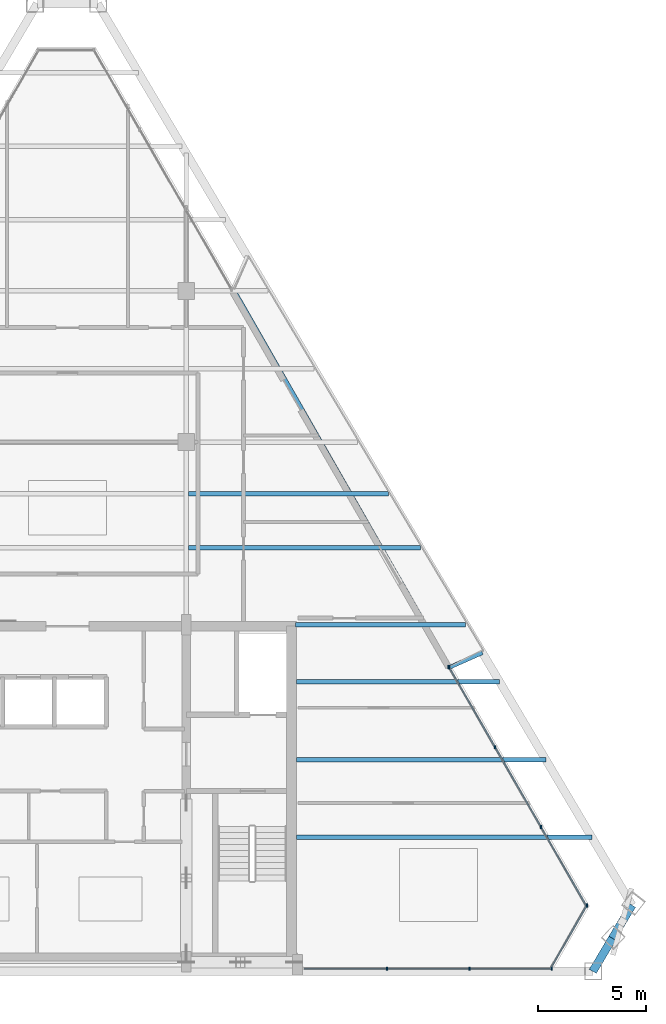
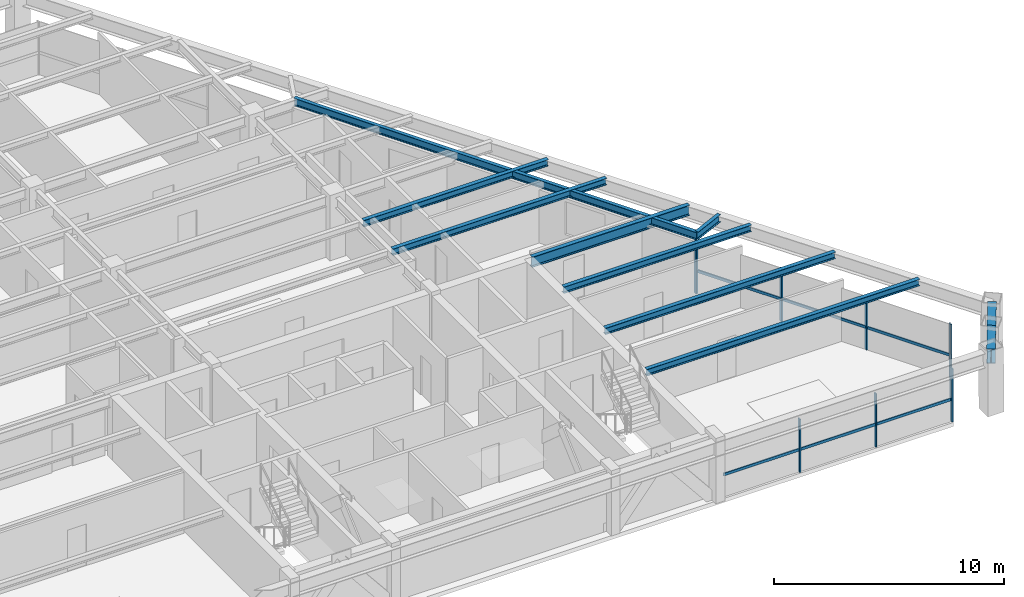
# One storey, part 5 of 13: 15 members, 10 beams, 3 elements without a shape of their own.
"""IFC4 building model written with IfcOpenShell, lengths in metres."""

from ifc_helpers import new_model, si_unit, direction, frame, origin, origin_2d, place, context, subcontext, project, spatial, rectangle, i_section, extrude, source, transform, mapped, material, material_profile, profile_set, type_object, type_shapes, element, aggregate, save


model = new_model("IFC4")

# Units and contexts
model_context = context("Model", 3, precision=1e-05, world=origin(), true_north=direction((0.0, 1.0)))
body_context = subcontext(model_context, "Body", "Model", "MODEL_VIEW")
ifc_project = project(units=[si_unit("LENGTHUNIT", "METRE"), si_unit("AREAUNIT", "SQUARE_METRE"), si_unit("VOLUMEUNIT", "CUBIC_METRE"), si_unit("PLANEANGLEUNIT", "RADIAN"), si_unit("MASSUNIT", "GRAM", prefix="KILO")], contexts=[model_context])

# Site, building, storey
site_placement = place(None, origin())
site = spatial("IfcSite", under=ifc_project, at=site_placement, CompositionType="ELEMENT")
building_placement = place(site_placement, origin())
building = spatial("IfcBuilding", under=site, at=building_placement, Name="Varnakhor Terracotta Tower", CompositionType="ELEMENT")
storey_placement = place(building_placement, frame((0.0, 0.0, 297.14990234375)))
storey = spatial("IfcBuildingStorey", under=building, at=storey_placement, Name="L78", CompositionType="ELEMENT", Elevation=297.14990234375)

# Beams
ifc_material_1 = material(Name="Steel S355", Category="steel")
ifc_material_profile_1 = material_profile(ifc_material_1, i_section(OverallWidth=0.381103515625, OverallDepth=0.77294921875, WebThickness=0.01708984375, FlangeThickness=0.027099609375, FilletRadius=0.01806640625, at=origin_2d()), Name="W30X173")
ifc_profile_set_1 = profile_set([ifc_material_profile_1], Name="Steel S355")
beam_type_1 = type_object("IfcBeamType", Name="BM-W30X173", PredefinedType="BEAM", material=ifc_profile_set_1)
shared_shape_1 = source(origin(), body_context, "Body", "SweptSolid", [
    extrude(i_section(OverallWidth=0.381103515625, OverallDepth=0.77294921875, WebThickness=0.01708984375, FlangeThickness=0.027099609375, FilletRadius=0.01806640625, at=origin_2d()), origin(), (0.0, 0.0, 1.0), 1.781494140625),
])
beam_1_placement = place(storey_placement, frame((24.31640625, 0.0, 2.853515625), z_axis=(0.50993386134, 0.860213611296, 0.0), x_axis=(-0.860213611296, 0.50993386134, 0.0)))
element("IfcBeam", 1, at=beam_1_placement, inside=storey, type_object=beam_type_1, Name="L78 Perimeter Spandrel 2", PredefinedType="BEAM", context=body_context, shape_type="MappedRepresentation", body=[
    mapped(shared_shape_1, transform((0.0, 0.0, 0.0), scale=1.0)),
])
shared_shape_2 = source(origin(), body_context, "Body", "SweptSolid", [
    extrude(i_section(OverallWidth=0.381103515625, OverallDepth=0.77294921875, WebThickness=0.01708984375, FlangeThickness=0.027099609375, FilletRadius=0.01806640625, at=origin_2d()), origin(), (0.0, 0.0, 1.0), 1.78125),
])
beam_2_placement = place(storey_placement, frame((25.224853515625, 1.532470703125, 2.853515625), z_axis=(0.509993981004, 0.860177969573, 0.0), x_axis=(-0.860177969573, 0.509993981004, 0.0)))
element("IfcBeam", 2, at=beam_2_placement, inside=storey, type_object=beam_type_1, Name="L78 Perimeter Spandrel 3", PredefinedType="BEAM", context=body_context, shape_type="MappedRepresentation", body=[
    mapped(shared_shape_2, transform((0.0, 0.0, 0.0), scale=1.0)),
])
ifc_material_profile_2 = material_profile(ifc_material_1, i_section(OverallWidth=0.179931640625, OverallDepth=0.39990234375, WebThickness=0.008544921875, FlangeThickness=0.013427734375, FilletRadius=0.01806640625, at=origin_2d()), Name="IPE400")
ifc_profile_set_2 = profile_set([ifc_material_profile_2], Name="Steel S355")
beam_type_2 = type_object("IfcBeamType", Name="JST-IPE400", PredefinedType="JOIST", material=ifc_profile_set_2)
shared_shape_3 = source(origin(), body_context, "Body", "SweptSolid", [
    extrude(i_section(OverallWidth=0.179931640625, OverallDepth=0.39990234375, WebThickness=0.008544921875, FlangeThickness=0.013427734375, FilletRadius=0.01806640625, at=origin_2d()), origin(), (0.0, 0.0, 1.0), 20.189208984375),
])
beam_3_placement = place(storey_placement, frame((17.6953125, 14.075927734375, 3.0400390625), z_axis=(-0.496646746418, 0.867952769033, 0.0), x_axis=(-0.867952769033, -0.496646746418, 0.0)))
element("IfcBeam", 3, at=beam_3_placement, inside=storey, type_object=beam_type_2, Name="L78 Loggia Edge Beam 1", PredefinedType="JOIST", context=body_context, shape_type="MappedRepresentation", body=[
    mapped(shared_shape_3, transform((0.0, 0.0, 0.0), scale=1.0)),
])
ifc_material_profile_3 = material_profile(ifc_material_1, i_section(OverallWidth=0.214111328125, OverallDepth=0.549072265625, WebThickness=0.014892578125, FlangeThickness=0.02392578125, FilletRadius=0.01806640625, at=origin_2d()), Name="W21X93")
ifc_profile_set_3 = profile_set([ifc_material_profile_3], Name="Steel S355")
beam_type_3 = type_object("IfcBeamType", Name="BM-W21X93", PredefinedType="BEAM", material=ifc_profile_set_3)
shared_shape_4 = source(origin(), body_context, "Body", "SweptSolid", [
    extrude(i_section(OverallWidth=0.214111328125, OverallDepth=0.549072265625, WebThickness=0.014892578125, FlangeThickness=0.02392578125, FilletRadius=0.01806640625, at=origin_2d()), origin(), (0.0, 0.0, 1.0), 7.8857421875),
])
beam_4_placement = place(storey_placement, frame((10.550048828125, 16.050048828125, 2.965576171875), z_axis=(1.0, 0.0, 0.0), x_axis=(0.0, 1.0, 0.0)))
element("IfcBeam", 4, at=beam_4_placement, inside=storey, type_object=beam_type_3, Name="L78 Wing Girder E", PredefinedType="BEAM", context=body_context, shape_type="MappedRepresentation", body=[
    mapped(shared_shape_4, transform((0.0, 0.0, 0.0), scale=1.0)),
])
ifc_material_profile_4 = material_profile(ifc_material_1, i_section(OverallWidth=0.202880859375, OverallDepth=0.346923828125, WebThickness=0.0078125, FlangeThickness=0.013427734375, FilletRadius=0.01806640625, at=origin_2d()), Name="W14X43")
ifc_profile_set_4 = profile_set([ifc_material_profile_4], Name="Steel S355")
beam_type_4 = type_object("IfcBeamType", Name="JST-W14X43", PredefinedType="JOIST", material=ifc_profile_set_4)
shared_shape_5 = source(origin(), body_context, "Body", "SweptSolid", [
    extrude(i_section(OverallWidth=0.202880859375, OverallDepth=0.346923828125, WebThickness=0.0078125, FlangeThickness=0.013427734375, FilletRadius=0.01806640625, at=origin_2d()), origin(), (0.0, 0.0, 1.0), 13.6748046875),
])
beam_5_placement = place(storey_placement, frame((10.60009765625, 6.199951171875, 3.066650390625), z_axis=(1.0, 0.0, 0.0), x_axis=(0.0, 1.0, 0.0)))
element("IfcBeam", 5, at=beam_5_placement, inside=storey, type_object=beam_type_4, Name="L78 Floor Joist E1", PredefinedType="JOIST", context=body_context, shape_type="MappedRepresentation", body=[
    mapped(shared_shape_5, transform((0.0, 0.0, 0.0), scale=1.0)),
])
shared_shape_6 = source(origin(), body_context, "Body", "SweptSolid", [
    extrude(i_section(OverallWidth=0.202880859375, OverallDepth=0.346923828125, WebThickness=0.0078125, FlangeThickness=0.013427734375, FilletRadius=0.01806640625, at=origin_2d()), origin(), (0.0, 0.0, 1.0), 11.54052734375),
])
beam_6_placement = place(storey_placement, frame((10.60009765625, 9.800048828125, 3.066650390625), z_axis=(1.0, 0.0, 0.0), x_axis=(0.0, 1.0, 0.0)))
element("IfcBeam", 6, at=beam_6_placement, inside=storey, type_object=beam_type_4, Name="L78 Floor Joist E2", PredefinedType="JOIST", context=body_context, shape_type="MappedRepresentation", body=[
    mapped(shared_shape_6, transform((0.0, 0.0, 0.0), scale=1.0)),
])
shared_shape_7 = source(origin(), body_context, "Body", "SweptSolid", [
    extrude(i_section(OverallWidth=0.202880859375, OverallDepth=0.346923828125, WebThickness=0.0078125, FlangeThickness=0.013427734375, FilletRadius=0.01806640625, at=origin_2d()), origin(), (0.0, 0.0, 1.0), 9.406494140625),
])
beam_7_placement = place(storey_placement, frame((10.60009765625, 13.39990234375, 3.066650390625), z_axis=(1.0, 0.0, 0.0), x_axis=(0.0, 1.0, 0.0)))
element("IfcBeam", 7, at=beam_7_placement, inside=storey, type_object=beam_type_4, Name="L78 Floor Joist E3", PredefinedType="JOIST", context=body_context, shape_type="MappedRepresentation", body=[
    mapped(shared_shape_7, transform((0.0, 0.0, 0.0), scale=1.0)),
])
shared_shape_8 = source(origin(), body_context, "Body", "SweptSolid", [
    extrude(i_section(OverallWidth=0.202880859375, OverallDepth=0.346923828125, WebThickness=0.0078125, FlangeThickness=0.013427734375, FilletRadius=0.01806640625, at=origin_2d()), origin(), (0.0, 0.0, 1.0), 10.728271484375),
])
beam_8_placement = place(storey_placement, frame((5.60302734375, 19.60009765625, 3.066650390625), z_axis=(1.0, 0.0, 0.0), x_axis=(0.0, 1.0, 0.0)))
element("IfcBeam", 8, at=beam_8_placement, inside=storey, type_object=beam_type_4, Name="L78 Composite Floor Joist 4-3", PredefinedType="JOIST", context=body_context, shape_type="MappedRepresentation", body=[
    mapped(shared_shape_8, transform((0.0, 0.0, 0.0), scale=1.0)),
])
shared_shape_9 = source(origin(), body_context, "Body", "SweptSolid", [
    extrude(i_section(OverallWidth=0.202880859375, OverallDepth=0.346923828125, WebThickness=0.0078125, FlangeThickness=0.013427734375, FilletRadius=0.01806640625, at=origin_2d()), origin(), (0.0, 0.0, 1.0), 9.246337890625),
])
beam_9_placement = place(storey_placement, frame((5.60302734375, 22.10009765625, 3.066650390625), z_axis=(1.0, 0.0, 0.0), x_axis=(0.0, 1.0, 0.0)))
element("IfcBeam", 9, at=beam_9_placement, inside=storey, type_object=beam_type_4, Name="L78 Composite Floor Joist 5-3", PredefinedType="JOIST", context=body_context, shape_type="MappedRepresentation", body=[
    mapped(shared_shape_9, transform((0.0, 0.0, 0.0), scale=1.0)),
])

# Curtain wall, members
ifc_material_2 = material(Name="Anodised Aluminium Curtain Wall System", Category="aluminium")
curtain_wall_type = type_object("IfcCurtainWallType", Name="CW-SYS-HOTEL-LOGGIA", PredefinedType="NOTDEFINED", material=ifc_material_2)
curtain_wall_1_placement = place(storey_placement, origin())
curtain_wall_1 = element("IfcCurtainWall", 10, at=curtain_wall_1_placement, inside=storey, type_object=curtain_wall_type, Name="L78 E Facet Curtain Wall 2", PredefinedType="NOTDEFINED")
ifc_material_3 = material(Name="Anodised Aluminium 6063-T6", Category="aluminium")
ifc_material_profile_5 = material_profile(ifc_material_3, rectangle(XDim=0.06494140625, YDim=0.159912109375, at=origin_2d()), Name="ALU MULLION 65x160")
ifc_profile_set_5 = profile_set([ifc_material_profile_5], Name="Anodised Aluminium 6063-T6")
member_type_1 = type_object("IfcMemberType", Name="CWM-04", PredefinedType="MULLION", material=ifc_profile_set_5)
shared_shape_10 = source(origin(), body_context, "Body", "SweptSolid", [
    extrude(rectangle(XDim=0.06494140625, YDim=0.159912109375, at=origin_2d()), origin(), (0.0, 0.0, 1.0), 2.820068359375),
])
type_shapes(member_type_1, [shared_shape_10])
member_1_placement = place(storey_placement, frame((17.673583984375, 14.06396484375, 0.0), z_axis=(0.0, 0.0, 1.0), x_axis=(1.0, 0.0, 0.0)))
member_1 = element("IfcMember", 11, at=member_1_placement, type_object=member_type_1, Name="L78 E Facet Curtain Wall 2 Mullion 1", PredefinedType="MULLION", context=body_context, shape_type="MappedRepresentation", body=[
    mapped(shared_shape_10, transform((0.0, 0.0, 0.0), scale=1.0)),
])
member_2_placement = place(storey_placement, frame((19.796630859375, 10.373046875, 0.0), z_axis=(0.0, 0.0, 1.0), x_axis=(1.0, 0.0, 0.0)))
member_2 = element("IfcMember", 12, at=member_2_placement, type_object=member_type_1, Name="L78 E Facet Curtain Wall 2 Mullion 2", PredefinedType="MULLION", context=body_context, shape_type="MappedRepresentation", body=[
    mapped(shared_shape_10, transform((0.0, 0.0, 0.0), scale=1.0)),
])
member_3_placement = place(storey_placement, frame((21.919677734375, 6.68212890625, 0.0), z_axis=(0.0, 0.0, 1.0), x_axis=(1.0, 0.0, 0.0)))
member_3 = element("IfcMember", 13, at=member_3_placement, type_object=member_type_1, Name="L78 E Facet Curtain Wall 2 Mullion 3", PredefinedType="MULLION", context=body_context, shape_type="MappedRepresentation", body=[
    mapped(shared_shape_10, transform((0.0, 0.0, 0.0), scale=1.0)),
])
member_4_placement = place(storey_placement, frame((17.641357421875, 14.079833984375, 0.0), z_axis=(0.0, 0.0, 1.0), x_axis=(1.0, 0.0, 0.0)))
member_4 = element("IfcMember", 14, at=member_4_placement, type_object=member_type_1, Name="L78 E Loggia Jamb Closure Mullion 2", PredefinedType="MULLION", context=body_context, shape_type="MappedRepresentation", body=[
    mapped(shared_shape_10, transform((0.0, 0.0, 0.0), scale=1.0)),
])

# Curtain wall, member
curtain_wall_2_placement = place(storey_placement, origin())
curtain_wall_2 = element("IfcCurtainWall", 15, at=curtain_wall_2_placement, inside=storey, type_object=curtain_wall_type, Name="L78 Facet Curtain Wall 4", PredefinedType="NOTDEFINED")
member_5_placement = place(storey_placement, frame((24.042724609375, 3.058837890625, 0.0), z_axis=(0.0, 0.0, 1.0), x_axis=(1.0, 0.0, 0.0)))
member_5 = element("IfcMember", 16, at=member_5_placement, type_object=member_type_1, Name="L78 Facet Curtain Wall 4 Mullion 1", PredefinedType="MULLION", context=body_context, shape_type="MappedRepresentation", body=[
    mapped(shared_shape_10, transform((0.0, 0.0, 0.0), scale=1.0)),
])

# Curtain wall, members
curtain_wall_3_placement = place(storey_placement, origin())
curtain_wall_3 = element("IfcCurtainWall", 17, at=curtain_wall_3_placement, inside=storey, type_object=curtain_wall_type, Name="L78 South Wing Curtain Wall SSE", PredefinedType="NOTDEFINED")
member_6_placement = place(storey_placement, frame((22.41845703125, 0.1201171875, 0.0), z_axis=(0.0, 0.0, 1.0), x_axis=(1.0, 0.0, 0.0)))
member_6 = element("IfcMember", 18, at=member_6_placement, type_object=member_type_1, Name="L78 South Wing Curtain Wall SSE Mullion 1", PredefinedType="MULLION", context=body_context, shape_type="MappedRepresentation", body=[
    mapped(shared_shape_10, transform((0.0, 0.0, 0.0), scale=1.0)),
])
member_7_placement = place(storey_placement, frame((18.602294921875, 0.1201171875, 0.0), z_axis=(0.0, 0.0, 1.0), x_axis=(1.0, 0.0, 0.0)))
member_7 = element("IfcMember", 19, at=member_7_placement, type_object=member_type_1, Name="L78 South Wing Curtain Wall SSE Mullion 2", PredefinedType="MULLION", context=body_context, shape_type="MappedRepresentation", body=[
    mapped(shared_shape_10, transform((0.0, 0.0, 0.0), scale=1.0)),
])
member_8_placement = place(storey_placement, frame((14.7861328125, 0.1201171875, 0.0), z_axis=(0.0, 0.0, 1.0), x_axis=(1.0, 0.0, 0.0)))
member_8 = element("IfcMember", 20, at=member_8_placement, type_object=member_type_1, Name="L78 South Wing Curtain Wall SSE Mullion 3", PredefinedType="MULLION", context=body_context, shape_type="MappedRepresentation", body=[
    mapped(shared_shape_10, transform((0.0, 0.0, 0.0), scale=1.0)),
])

# Beam
shared_shape_11 = source(origin(), body_context, "Body", "SweptSolid", [
    extrude(i_section(OverallWidth=0.179931640625, OverallDepth=0.39990234375, WebThickness=0.008544921875, FlangeThickness=0.013427734375, FilletRadius=0.01806640625, at=origin_2d()), origin(), (0.0, 0.0, 1.0), 1.65478515625),
])
beam_10_placement = place(storey_placement, frame((17.6953125, 14.075927734375, 3.0400390625), z_axis=(0.913671566224, 0.406453280308, 0.0), x_axis=(-0.406453280308, 0.913671566224, 0.0)))
element("IfcBeam", 21, at=beam_10_placement, inside=storey, type_object=beam_type_2, Name="L79 E Loggia Tie Beam 2", PredefinedType="JOIST", context=body_context, shape_type="MappedRepresentation", body=[
    mapped(shared_shape_11, transform((0.0, 0.0, 0.0), scale=1.0)),
])

# Member
ifc_material_profile_6 = material_profile(ifc_material_3, rectangle(XDim=0.06494140625, YDim=0.14501953125, at=origin_2d()), Name="ALU TRANSOM 65x145")
ifc_profile_set_6 = profile_set([ifc_material_profile_6], Name="Anodised Aluminium 6063-T6")
member_type_2 = type_object("IfcMemberType", Name="CWT-04", PredefinedType="USERDEFINED", material=ifc_profile_set_6)
shared_shape_12 = source(origin(), body_context, "Body", "SweptSolid", [
    extrude(rectangle(XDim=0.06494140625, YDim=0.14501953125, at=origin_2d()), origin(), (0.0, 0.0, 1.0), 3.426513671875),
])
member_9_placement = place(storey_placement, frame((24.042724609375, 3.058837890625, 1.1845703125), z_axis=(-0.49711311028, -0.867685747024, 0.0), x_axis=(0.867685747024, -0.49711311028, 0.0)))
member_9 = element("IfcMember", 22, at=member_9_placement, type_object=member_type_2, Name="L78 Facet Curtain Wall 4 Transom 1", ObjectType="TRANSOM", PredefinedType="USERDEFINED", context=body_context, shape_type="MappedRepresentation", body=[
    mapped(shared_shape_12, transform((0.0, 0.0, 0.0), scale=1.0)),
])

aggregate(curtain_wall_2, [member_5, member_9])

shared_shape_13 = source(origin(), body_context, "Body", "SweptSolid", [
    extrude(rectangle(XDim=0.06494140625, YDim=0.14501953125, at=origin_2d()), origin(), (0.0, 0.0, 1.0), 4.258056640625),
])
member_10_placement = place(storey_placement, frame((17.673583984375, 14.06396484375, 1.1845703125), z_axis=(0.498606853692, -0.866828244493, 0.0), x_axis=(0.866828244493, 0.498606853692, 0.0)))
member_10 = element("IfcMember", 23, at=member_10_placement, type_object=member_type_2, Name="L78 E Facet Curtain Wall 2 Transom 1", ObjectType="TRANSOM", PredefinedType="USERDEFINED", context=body_context, shape_type="MappedRepresentation", body=[
    mapped(shared_shape_13, transform((0.0, 0.0, 0.0), scale=1.0)),
])

member_11_placement = place(storey_placement, frame((19.796630859375, 10.373046875, 1.1845703125), z_axis=(0.498606853692, -0.866828244493, 0.0), x_axis=(0.866828244493, 0.498606853692, 0.0)))
member_11 = element("IfcMember", 24, at=member_11_placement, type_object=member_type_2, Name="L78 E Facet Curtain Wall 2 Transom 2", ObjectType="TRANSOM", PredefinedType="USERDEFINED", context=body_context, shape_type="MappedRepresentation", body=[
    mapped(shared_shape_13, transform((0.0, 0.0, 0.0), scale=1.0)),
])

shared_shape_14 = source(origin(), body_context, "Body", "SweptSolid", [
    extrude(rectangle(XDim=0.06494140625, YDim=0.14501953125, at=origin_2d()), origin(), (0.0, 0.0, 1.0), 4.2578125),
])
member_12_placement = place(storey_placement, frame((21.919677734375, 6.68212890625, 1.1845703125), z_axis=(0.498631636358, -0.866813988825, 0.0), x_axis=(0.866813988825, 0.498631636358, 0.0)))
member_12 = element("IfcMember", 25, at=member_12_placement, type_object=member_type_2, Name="L78 E Facet Curtain Wall 2 Transom 3", ObjectType="TRANSOM", PredefinedType="USERDEFINED", context=body_context, shape_type="MappedRepresentation", body=[
    mapped(shared_shape_14, transform((0.0, 0.0, 0.0), scale=1.0)),
])

aggregate(curtain_wall_1, [member_1, member_10, member_2, member_11, member_3, member_12, member_4])

shared_shape_15 = source(origin(), body_context, "Body", "SweptSolid", [
    extrude(rectangle(XDim=0.06494140625, YDim=0.14501953125, at=origin_2d()), origin(), (0.0, 0.0, 1.0), 3.816162109375),
])
member_13_placement = place(storey_placement, frame((22.41845703125, 0.1201171875, 1.1845703125), z_axis=(-1.0, 0.0, 0.0), x_axis=(0.0, -1.0, 0.0)))
member_13 = element("IfcMember", 26, at=member_13_placement, type_object=member_type_2, Name="L78 South Wing Curtain Wall SSE Transom 1", ObjectType="TRANSOM", PredefinedType="USERDEFINED", context=body_context, shape_type="MappedRepresentation", body=[
    mapped(shared_shape_15, transform((0.0, 0.0, 0.0), scale=1.0)),
])

member_14_placement = place(storey_placement, frame((18.602294921875, 0.1201171875, 1.1845703125), z_axis=(-1.0, 0.0, 0.0), x_axis=(0.0, -1.0, 0.0)))
member_14 = element("IfcMember", 27, at=member_14_placement, type_object=member_type_2, Name="L78 South Wing Curtain Wall SSE Transom 2", ObjectType="TRANSOM", PredefinedType="USERDEFINED", context=body_context, shape_type="MappedRepresentation", body=[
    mapped(shared_shape_15, transform((0.0, 0.0, 0.0), scale=1.0)),
])

member_15_placement = place(storey_placement, frame((14.7861328125, 0.1201171875, 1.1845703125), z_axis=(-1.0, 0.0, 0.0), x_axis=(0.0, -1.0, 0.0)))
member_15 = element("IfcMember", 28, at=member_15_placement, type_object=member_type_2, Name="L78 South Wing Curtain Wall SSE Transom 3", ObjectType="TRANSOM", PredefinedType="USERDEFINED", context=body_context, shape_type="MappedRepresentation", body=[
    mapped(shared_shape_15, transform((0.0, 0.0, 0.0), scale=1.0)),
])

aggregate(curtain_wall_3, [member_6, member_13, member_7, member_14, member_8, member_15])

save(model, "model.ifc")
